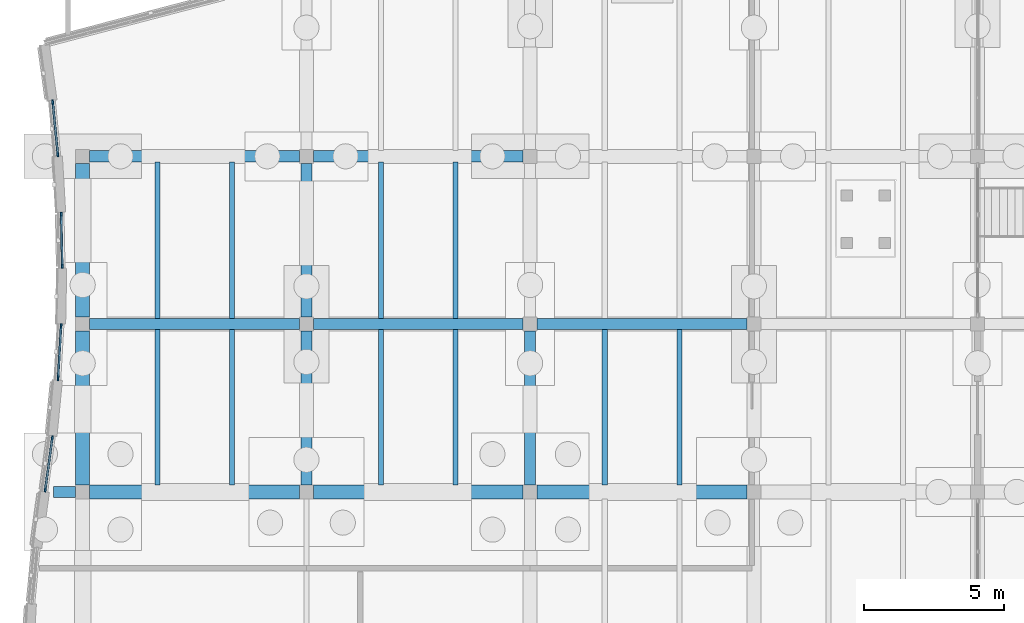
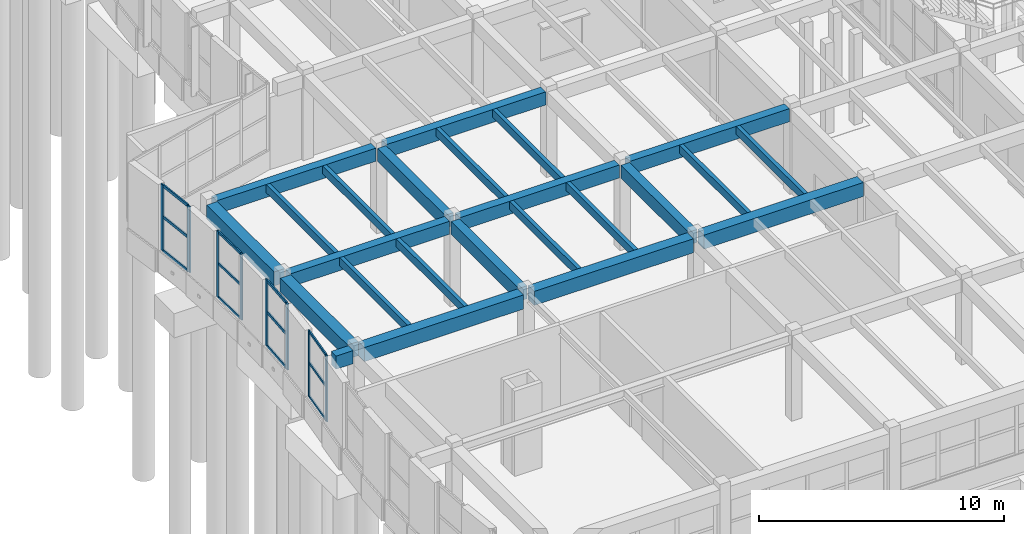
# One storey, part 15 of 99: 24 beams, 20 members, 4 elements without a shape of their own.
"""IFC4 building model written with IfcOpenShell, lengths in metres."""

from ifc_helpers import new_model, si_unit, direction, frame, origin, origin_2d, place, context, subcontext, project, spatial, rectangle, extrude, material, layer, layer_set, material_profile, profile_set, type_object, element, aggregate, save


model = new_model("IFC4")

# Units and contexts
model_context = context("Model", 3, precision=1e-05, world=origin(), true_north=direction((0.0, 1.0)))
body_context = subcontext(model_context, "Body", "Model", "MODEL_VIEW")
ifc_project = project(units=[si_unit("LENGTHUNIT", "METRE"), si_unit("AREAUNIT", "SQUARE_METRE"), si_unit("VOLUMEUNIT", "CUBIC_METRE"), si_unit("PLANEANGLEUNIT", "RADIAN"), si_unit("MASSUNIT", "GRAM", prefix="KILO")], contexts=[model_context])

# Site, building, storey
site_placement = place(None, origin())
site = spatial("IfcSite", under=ifc_project, at=site_placement, CompositionType="ELEMENT")
building_placement = place(site_placement, origin())
building = spatial("IfcBuilding", under=site, at=building_placement, Name="Tonlespit Floodbar School", CompositionType="ELEMENT")
storey_placement = place(building_placement, origin())
storey = spatial("IfcBuildingStorey", under=building, at=storey_placement, Name="L00", CompositionType="ELEMENT", Elevation=0.0)

# Beams
ifc_material_1 = material(Name="Concrete C40/50", Category="concrete")
ifc_material_profile_1 = material_profile(ifc_material_1, rectangle(XDim=0.39990234375, YDim=0.64990234375, at=origin_2d()), Name="RC 400x650")
ifc_profile_set_1 = profile_set([ifc_material_profile_1], Name="Concrete C40/50")
beam_type_1 = type_object("IfcBeamType", Name="Beam_RC_400x650", PredefinedType="BEAM", material=ifc_profile_set_1)
for number, where, z_axis, x_axis, name in (
    (1, (4.25, 26.0, 3.9150390625), (1.0, 0.0, 0.0), (0.0, 1.0, 0.0), "L00 girder 0022"),
    (2, (12.25, 26.0, 3.9150390625), (1.0, 0.0, 0.0), (0.0, 1.0, 0.0), "L00 girder 0023"),
    (3, (20.25, 26.0, 3.9150390625), (1.0, 0.0, 0.0), (0.0, 1.0, 0.0), "L00 girder 0024"),
    (4, (4.25, 32.0, 3.9150390625), (1.0, 0.0, 0.0), (0.0, 1.0, 0.0), "L00 girder 0027"),
    (5, (12.25, 32.0, 3.9150390625), (1.0, 0.0, 0.0), (0.0, 1.0, 0.0), "L00 girder 0028"),
):
    element("IfcBeam", number, at=place(storey_placement, frame(where, z_axis=z_axis, x_axis=x_axis)), inside=storey, type_object=beam_type_1, Name=name, PredefinedType="BEAM", context=body_context, shape_type="SweptSolid", body=[
        extrude(rectangle(XDim=0.39990234375, YDim=0.64990234375, at=origin_2d()), origin(), (0.0, 0.0, 1.0), 7.5),
    ])
for number, where, z_axis, x_axis, name in (
    (6, (12.0, 20.25, 3.9150390625), (0.0, 1.0, 0.0), (-1.0, 0.0, 0.0), "L00 girder 0173"),
    (7, (12.0, 26.25, 3.9150390625), (0.0, 1.0, 0.0), (-1.0, 0.0, 0.0), "L00 girder 0174"),
    (8, (20.0, 20.25, 3.9150390625), (0.0, 1.0, 0.0), (-1.0, 0.0, 0.0), "L00 girder 0186"),
):
    element("IfcBeam", number, at=place(storey_placement, frame(where, z_axis=z_axis, x_axis=x_axis)), inside=storey, type_object=beam_type_1, Name=name, PredefinedType="BEAM", context=body_context, shape_type="SweptSolid", body=[
        extrude(rectangle(XDim=0.39990234375, YDim=0.64990234375, at=origin_2d()), origin(), (0.0, 0.0, 1.0), 5.5),
    ])
beam_placement = place(storey_placement, frame((3.75, 20.0, 3.9150390625), z_axis=(-1.0, 0.0, 0.0), x_axis=(0.0, -1.0, 0.0)))
element("IfcBeam", 9, at=beam_placement, inside=storey, type_object=beam_type_1, Name="L00 west street wave cantilever bracket", PredefinedType="BEAM", context=body_context, shape_type="SweptSolid", body=[
    extrude(rectangle(XDim=0.39990234375, YDim=0.64990234375, at=origin_2d()), origin(), (0.0, 0.0, 1.0), 0.800048828125),
])

# Curtain wall, members
ifc_material_2 = material(Name="Anodised Aluminium", Category="aluminium")
ifc_layer_1 = layer(ifc_material_2, 0.159912109375)
ifc_layer_set_1 = layer_set([ifc_layer_1], Name="Anodised Aluminium")
curtain_wall_type_1 = type_object("IfcCurtainWallType", Name="CurtainWall_1950x3300", PredefinedType="NOTDEFINED", material=ifc_layer_set_1)
curtain_wall_1_placement = place(storey_placement, origin())
curtain_wall_1 = element("IfcCurtainWall", 10, at=curtain_wall_1_placement, inside=storey, type_object=curtain_wall_type_1, Name="L00 unitised curtain wall 0500", PredefinedType="NOTDEFINED")
ifc_material_profile_2 = material_profile(ifc_material_2, rectangle(XDim=0.06494140625, YDim=0.14990234375, at=origin_2d()), Name="ALU M65x150")
ifc_profile_set_2 = profile_set([ifc_material_profile_2], Name="Anodised Aluminium")
member_type_1 = type_object("IfcMemberType", Name="CW_Mullion_65x150", PredefinedType="MULLION", material=ifc_profile_set_2)
member_1_placement = place(storey_placement, frame((2.65966796875, 20.07177734375, 0.949951171875), z_axis=(0.0, 0.0, 1.0), x_axis=(-0.990894096494, 0.134643564765, 0.0)))
member_1 = element("IfcMember", 11, at=member_1_placement, type_object=member_type_1, Name="CW-01 mullion 1", PredefinedType="MULLION", context=body_context, shape_type="SweptSolid", body=[
    extrude(rectangle(XDim=0.06494140625, YDim=0.14990234375, at=origin_2d()), origin(), (0.0, 0.0, 1.0), 3.2900390625),
])
member_2_placement = place(storey_placement, frame((2.912109375, 21.92822265625, 0.949951171875), z_axis=(0.0, 0.0, 1.0), x_axis=(-0.990894096494, 0.134643564765, 0.0)))
member_2 = element("IfcMember", 12, at=member_2_placement, type_object=member_type_1, Name="CW-01 mullion 2", PredefinedType="MULLION", context=body_context, shape_type="SweptSolid", body=[
    extrude(rectangle(XDim=0.06494140625, YDim=0.14990234375, at=origin_2d()), origin(), (0.0, 0.0, 1.0), 3.2900390625),
])

ifc_layer_2 = layer(ifc_material_2, 0.159912109375)
ifc_layer_set_2 = layer_set([ifc_layer_2], Name="Anodised Aluminium")
curtain_wall_type_2 = type_object("IfcCurtainWallType", Name="CurtainWall_1900x3300", PredefinedType="NOTDEFINED", material=ifc_layer_set_2)
curtain_wall_2_placement = place(storey_placement, origin())
curtain_wall_2 = element("IfcCurtainWall", 13, at=curtain_wall_2_placement, inside=storey, type_object=curtain_wall_type_2, Name="L00 unitised curtain wall 0502", PredefinedType="NOTDEFINED")
member_3_placement = place(storey_placement, frame((3.267578125, 28.072509765625, 0.949951171875), z_axis=(0.0, 0.0, 1.0), x_axis=(-0.999815370969, -0.019215201653, 0.0)))
member_3 = element("IfcMember", 14, at=member_3_placement, type_object=member_type_1, Name="CW-02 mullion 1", PredefinedType="MULLION", context=body_context, shape_type="SweptSolid", body=[
    extrude(rectangle(XDim=0.06494140625, YDim=0.14990234375, at=origin_2d()), origin(), (0.0, 0.0, 1.0), 3.2900390625),
])
member_4_placement = place(storey_placement, frame((3.23193359375, 29.927490234375, 0.949951171875), z_axis=(0.0, 0.0, 1.0), x_axis=(-0.999815370969, -0.019215201653, 0.0)))
member_4 = element("IfcMember", 15, at=member_4_placement, type_object=member_type_1, Name="CW-02 mullion 2", PredefinedType="MULLION", context=body_context, shape_type="SweptSolid", body=[
    extrude(rectangle(XDim=0.06494140625, YDim=0.14990234375, at=origin_2d()), origin(), (0.0, 0.0, 1.0), 3.2900390625),
])

curtain_wall_3_placement = place(storey_placement, origin())
curtain_wall_3 = element("IfcCurtainWall", 16, at=curtain_wall_3_placement, inside=storey, type_object=curtain_wall_type_2, Name="L00 unitised curtain wall 0501", PredefinedType="NOTDEFINED")
ifc_material_profile_3 = material_profile(ifc_material_2, rectangle(XDim=0.06494140625, YDim=0.179931640625, at=origin_2d()), Name="ALU M65x180")
ifc_profile_set_3 = profile_set([ifc_material_profile_3], Name="Anodised Aluminium")
member_type_2 = type_object("IfcMemberType", Name="CW_Mullion_65x180", PredefinedType="MULLION", material=ifc_profile_set_3)
member_5_placement = place(storey_placement, frame((3.119140625, 24.072265625, 0.949951171875), z_axis=(0.0, 0.0, 1.0), x_axis=(-0.998333381227, 0.057710137129, 0.0)))
member_5 = element("IfcMember", 17, at=member_5_placement, type_object=member_type_2, Name="CW-02 mullion 1", PredefinedType="MULLION", context=body_context, shape_type="SweptSolid", body=[
    extrude(rectangle(XDim=0.06494140625, YDim=0.179931640625, at=origin_2d()), origin(), (0.0, 0.0, 1.0), 3.2900390625),
])
member_6_placement = place(storey_placement, frame((3.226318359375, 25.927734375, 0.949951171875), z_axis=(0.0, 0.0, 1.0), x_axis=(-0.998333381227, 0.057710137129, 0.0)))
member_6 = element("IfcMember", 18, at=member_6_placement, type_object=member_type_2, Name="CW-02 mullion 2", PredefinedType="MULLION", context=body_context, shape_type="SweptSolid", body=[
    extrude(rectangle(XDim=0.06494140625, YDim=0.179931640625, at=origin_2d()), origin(), (0.0, 0.0, 1.0), 3.2900390625),
])

curtain_wall_4_placement = place(storey_placement, origin())
curtain_wall_4 = element("IfcCurtainWall", 19, at=curtain_wall_4_placement, inside=storey, type_object=curtain_wall_type_1, Name="L00 unitised curtain wall 0503", PredefinedType="NOTDEFINED")
member_7_placement = place(storey_placement, frame((3.108154296875, 32.072265625, 0.949951171875), z_axis=(0.0, 0.0, 1.0), x_axis=(-0.995362188546, -0.096198303585, 0.0)))
member_7 = element("IfcMember", 20, at=member_7_placement, type_object=member_type_2, Name="CW-01 mullion 1", PredefinedType="MULLION", context=body_context, shape_type="SweptSolid", body=[
    extrude(rectangle(XDim=0.06494140625, YDim=0.179931640625, at=origin_2d()), origin(), (0.0, 0.0, 1.0), 3.2900390625),
])
member_8_placement = place(storey_placement, frame((2.9287109375, 33.927734375, 0.949951171875), z_axis=(0.0, 0.0, 1.0), x_axis=(-0.995362188546, -0.096198303585, 0.0)))
member_8 = element("IfcMember", 21, at=member_8_placement, type_object=member_type_2, Name="CW-01 mullion 2", PredefinedType="MULLION", context=body_context, shape_type="SweptSolid", body=[
    extrude(rectangle(XDim=0.06494140625, YDim=0.179931640625, at=origin_2d()), origin(), (0.0, 0.0, 1.0), 3.2900390625),
])

# Member
ifc_material_profile_4 = material_profile(ifc_material_2, rectangle(XDim=0.06494140625, YDim=0.1201171875, at=origin_2d()), Name="ALU T65x120")
ifc_profile_set_4 = profile_set([ifc_material_profile_4], Name="Anodised Aluminium")
member_type_3 = type_object("IfcMemberType", Name="CW_Transom_65x120", PredefinedType="USERDEFINED", material=ifc_profile_set_4)
member_9_placement = place(storey_placement, frame((2.6640625, 20.10400390625, 0.982421875), z_axis=(0.134727643439, 0.990882668177, 0.0), x_axis=(-0.990882668177, 0.134727643439, 0.0)))
member_9 = element("IfcMember", 22, at=member_9_placement, type_object=member_type_3, Name="CW-01 transom 1.1", ObjectType="TRANSOM", PredefinedType="USERDEFINED", context=body_context, shape_type="SweptSolid", body=[
    extrude(rectangle(XDim=0.06494140625, YDim=0.1201171875, at=origin_2d()), origin(), (0.0, 0.0, 1.0), 1.80859375),
])

member_10_placement = place(storey_placement, frame((2.6640625, 20.10400390625, 2.660888671875), z_axis=(0.134727643439, 0.990882668177, 0.0), x_axis=(-0.990882668177, 0.134727643439, 0.0)))
member_10 = element("IfcMember", 23, at=member_10_placement, type_object=member_type_3, Name="CW-01 transom 1.2", ObjectType="TRANSOM", PredefinedType="USERDEFINED", context=body_context, shape_type="SweptSolid", body=[
    extrude(rectangle(XDim=0.06494140625, YDim=0.1201171875, at=origin_2d()), origin(), (0.0, 0.0, 1.0), 1.80859375),
])

member_11_placement = place(storey_placement, frame((2.6640625, 20.10400390625, 4.20751953125), z_axis=(0.134727643439, 0.990882668177, 0.0), x_axis=(-0.990882668177, 0.134727643439, 0.0)))
member_11 = element("IfcMember", 24, at=member_11_placement, type_object=member_type_3, Name="CW-01 transom 1.3", ObjectType="TRANSOM", PredefinedType="USERDEFINED", context=body_context, shape_type="SweptSolid", body=[
    extrude(rectangle(XDim=0.06494140625, YDim=0.1201171875, at=origin_2d()), origin(), (0.0, 0.0, 1.0), 1.80859375),
])

aggregate(curtain_wall_1, [member_1, member_2, member_9, member_10, member_11])

member_12_placement = place(storey_placement, frame((3.26708984375, 28.10498046875, 0.982421875), z_axis=(-0.019227214231, 0.99981514003, 0.0), x_axis=(-0.99981514003, -0.019227214231, 0.0)))
member_12 = element("IfcMember", 25, at=member_12_placement, type_object=member_type_3, Name="CW-02 transom 1.1", ObjectType="TRANSOM", PredefinedType="USERDEFINED", context=body_context, shape_type="SweptSolid", body=[
    extrude(rectangle(XDim=0.06494140625, YDim=0.1201171875, at=origin_2d()), origin(), (0.0, 0.0, 1.0), 1.790283203125),
])

member_13_placement = place(storey_placement, frame((3.26708984375, 28.10498046875, 2.660888671875), z_axis=(-0.019227214231, 0.99981514003, 0.0), x_axis=(-0.99981514003, -0.019227214231, 0.0)))
member_13 = element("IfcMember", 26, at=member_13_placement, type_object=member_type_3, Name="CW-02 transom 1.2", ObjectType="TRANSOM", PredefinedType="USERDEFINED", context=body_context, shape_type="SweptSolid", body=[
    extrude(rectangle(XDim=0.06494140625, YDim=0.1201171875, at=origin_2d()), origin(), (0.0, 0.0, 1.0), 1.790283203125),
])

member_14_placement = place(storey_placement, frame((3.26708984375, 28.10498046875, 4.20751953125), z_axis=(-0.019227214231, 0.99981514003, 0.0), x_axis=(-0.99981514003, -0.019227214231, 0.0)))
member_14 = element("IfcMember", 27, at=member_14_placement, type_object=member_type_3, Name="CW-02 transom 1.3", ObjectType="TRANSOM", PredefinedType="USERDEFINED", context=body_context, shape_type="SweptSolid", body=[
    extrude(rectangle(XDim=0.06494140625, YDim=0.1201171875, at=origin_2d()), origin(), (0.0, 0.0, 1.0), 1.790283203125),
])

aggregate(curtain_wall_2, [member_3, member_4, member_12, member_13, member_14])

ifc_material_profile_5 = material_profile(ifc_material_2, rectangle(XDim=0.06494140625, YDim=0.139892578125, at=origin_2d()), Name="ALU T65x140")
ifc_profile_set_5 = profile_set([ifc_material_profile_5], Name="Anodised Aluminium")
member_type_4 = type_object("IfcMemberType", Name="CW_Transom_65x140", PredefinedType="USERDEFINED", material=ifc_profile_set_5)
member_15_placement = place(storey_placement, frame((3.12109375, 24.104736328125, 0.982421875), z_axis=(0.057716552548, 0.998333010354, 0.0), x_axis=(-0.998333010354, 0.057716552548, 0.0)))
member_15 = element("IfcMember", 28, at=member_15_placement, type_object=member_type_4, Name="CW-02 transom 1.1", ObjectType="TRANSOM", PredefinedType="USERDEFINED", context=body_context, shape_type="SweptSolid", body=[
    extrude(rectangle(XDim=0.06494140625, YDim=0.139892578125, at=origin_2d()), origin(), (0.0, 0.0, 1.0), 1.79345703125),
])

member_16_placement = place(storey_placement, frame((3.12109375, 24.104736328125, 2.660888671875), z_axis=(0.057716552548, 0.998333010354, 0.0), x_axis=(-0.998333010354, 0.057716552548, 0.0)))
member_16 = element("IfcMember", 29, at=member_16_placement, type_object=member_type_4, Name="CW-02 transom 1.2", ObjectType="TRANSOM", PredefinedType="USERDEFINED", context=body_context, shape_type="SweptSolid", body=[
    extrude(rectangle(XDim=0.06494140625, YDim=0.139892578125, at=origin_2d()), origin(), (0.0, 0.0, 1.0), 1.79345703125),
])

member_17_placement = place(storey_placement, frame((3.12109375, 24.104736328125, 4.20751953125), z_axis=(0.057716552548, 0.998333010354, 0.0), x_axis=(-0.998333010354, 0.057716552548, 0.0)))
member_17 = element("IfcMember", 30, at=member_17_placement, type_object=member_type_4, Name="CW-02 transom 1.3", ObjectType="TRANSOM", PredefinedType="USERDEFINED", context=body_context, shape_type="SweptSolid", body=[
    extrude(rectangle(XDim=0.06494140625, YDim=0.139892578125, at=origin_2d()), origin(), (0.0, 0.0, 1.0), 1.79345703125),
])

aggregate(curtain_wall_3, [member_5, member_6, member_15, member_16, member_17])

member_18_placement = place(storey_placement, frame((3.10498046875, 32.1044921875, 0.982421875), z_axis=(-0.096198443578, 0.995362175016, 0.0), x_axis=(-0.995362175016, -0.096198443578, 0.0)))
member_18 = element("IfcMember", 31, at=member_18_placement, type_object=member_type_4, Name="CW-01 transom 1.1", ObjectType="TRANSOM", PredefinedType="USERDEFINED", context=body_context, shape_type="SweptSolid", body=[
    extrude(rectangle(XDim=0.06494140625, YDim=0.139892578125, at=origin_2d()), origin(), (0.0, 0.0, 1.0), 1.79931640625),
])

member_19_placement = place(storey_placement, frame((3.10498046875, 32.1044921875, 2.660888671875), z_axis=(-0.096198443578, 0.995362175016, 0.0), x_axis=(-0.995362175016, -0.096198443578, 0.0)))
member_19 = element("IfcMember", 32, at=member_19_placement, type_object=member_type_4, Name="CW-01 transom 1.2", ObjectType="TRANSOM", PredefinedType="USERDEFINED", context=body_context, shape_type="SweptSolid", body=[
    extrude(rectangle(XDim=0.06494140625, YDim=0.139892578125, at=origin_2d()), origin(), (0.0, 0.0, 1.0), 1.79931640625),
])

member_20_placement = place(storey_placement, frame((3.10498046875, 32.1044921875, 4.20751953125), z_axis=(-0.096198443578, 0.995362175016, 0.0), x_axis=(-0.995362175016, -0.096198443578, 0.0)))
member_20 = element("IfcMember", 33, at=member_20_placement, type_object=member_type_4, Name="CW-01 transom 1.3", ObjectType="TRANSOM", PredefinedType="USERDEFINED", context=body_context, shape_type="SweptSolid", body=[
    extrude(rectangle(XDim=0.06494140625, YDim=0.139892578125, at=origin_2d()), origin(), (0.0, 0.0, 1.0), 1.79931640625),
])

aggregate(curtain_wall_4, [member_7, member_8, member_18, member_19, member_20])

# Beams
ifc_material_3 = material(Name="Glulam GL28h", Category="wood")
ifc_material_profile_6 = material_profile(ifc_material_3, rectangle(XDim=0.179931640625, YDim=0.39990234375, at=origin_2d()), Name="GL 180x400")
ifc_profile_set_6 = profile_set([ifc_material_profile_6], Name="Glulam GL28h")
beam_type_2 = type_object("IfcBeamType", Name="Joist_GL_180x400", PredefinedType="JOIST", material=ifc_profile_set_6)
for number, where, z_axis, x_axis, name in (
    (34, (6.666748046875, 20.25, 4.0400390625), (0.0, 1.0, 0.0), (-1.0, 0.0, 0.0), "L00 secondary joist 0347"),
    (35, (9.333251953125, 20.25, 4.0400390625), (0.0, 1.0, 0.0), (-1.0, 0.0, 0.0), "L00 secondary joist 0348"),
    (36, (14.666748046875, 20.25, 4.0400390625), (0.0, 1.0, 0.0), (-1.0, 0.0, 0.0), "L00 secondary joist 0349"),
    (37, (17.333251953125, 20.25, 4.0400390625), (0.0, 1.0, 0.0), (-1.0, 0.0, 0.0), "L00 secondary joist 0350"),
    (38, (22.666748046875, 20.25, 4.0400390625), (0.0, 1.0, 0.0), (-1.0, 0.0, 0.0), "L00 secondary joist 0351"),
    (39, (25.333251953125, 20.25, 4.0400390625), (0.0, 1.0, 0.0), (-1.0, 0.0, 0.0), "L00 secondary joist 0352"),
):
    element("IfcBeam", number, at=place(storey_placement, frame(where, z_axis=z_axis, x_axis=x_axis)), inside=storey, type_object=beam_type_2, Name=name, PredefinedType="JOIST", context=body_context, shape_type="SweptSolid", body=[
        extrude(rectangle(XDim=0.179931640625, YDim=0.39990234375, at=origin_2d()), origin(), (0.0, 0.0, 1.0), 5.550048828125),
    ])
for number, where, z_axis, x_axis, name in (
    (40, (6.666748046875, 26.199951171875, 4.0400390625), (0.0, 1.0, 0.0), (-1.0, 0.0, 0.0), "L00 secondary joist 0357"),
    (41, (9.333251953125, 26.199951171875, 4.0400390625), (0.0, 1.0, 0.0), (-1.0, 0.0, 0.0), "L00 secondary joist 0358"),
    (42, (14.666748046875, 26.199951171875, 4.0400390625), (0.0, 1.0, 0.0), (-1.0, 0.0, 0.0), "L00 secondary joist 0359"),
    (43, (17.333251953125, 26.199951171875, 4.0400390625), (0.0, 1.0, 0.0), (-1.0, 0.0, 0.0), "L00 secondary joist 0360"),
):
    element("IfcBeam", number, at=place(storey_placement, frame(where, z_axis=z_axis, x_axis=x_axis)), inside=storey, type_object=beam_type_2, Name=name, PredefinedType="JOIST", context=body_context, shape_type="SweptSolid", body=[
        extrude(rectangle(XDim=0.179931640625, YDim=0.39990234375, at=origin_2d()), origin(), (0.0, 0.0, 1.0), 5.60009765625),
    ])
ifc_material_profile_7 = material_profile(ifc_material_1, rectangle(XDim=0.5, YDim=0.699951171875, at=origin_2d()), Name="RC 500x700")
ifc_profile_set_7 = profile_set([ifc_material_profile_7], Name="Concrete C40/50")
beam_type_3 = type_object("IfcBeamType", Name="Spandrel_RC_500x700", PredefinedType="SPANDREL", material=ifc_profile_set_7)
for number, where, z_axis, x_axis, name in (
    (44, (4.25, 20.0, 3.889892578125), (1.0, 0.0, 0.0), (0.0, 1.0, 0.0), "L00 girder 0010"),
    (45, (12.25, 20.0, 3.889892578125), (1.0, 0.0, 0.0), (0.0, 1.0, 0.0), "L00 girder 0011"),
    (46, (20.25, 20.0, 3.889892578125), (1.0, 0.0, 0.0), (0.0, 1.0, 0.0), "L00 girder 0012"),
):
    element("IfcBeam", number, at=place(storey_placement, frame(where, z_axis=z_axis, x_axis=x_axis)), inside=storey, type_object=beam_type_3, Name=name, PredefinedType="SPANDREL", context=body_context, shape_type="SweptSolid", body=[
        extrude(rectangle(XDim=0.5, YDim=0.699951171875, at=origin_2d()), origin(), (0.0, 0.0, 1.0), 7.5),
    ])
for number, where, z_axis, x_axis, name in (
    (47, (4.0, 20.25, 3.889892578125), (0.0, 1.0, 0.0), (-1.0, 0.0, 0.0), "L00 girder 0170"),
    (48, (4.0, 26.25, 3.889892578125), (0.0, 1.0, 0.0), (-1.0, 0.0, 0.0), "L00 girder 0171"),
):
    element("IfcBeam", number, at=place(storey_placement, frame(where, z_axis=z_axis, x_axis=x_axis)), inside=storey, type_object=beam_type_3, Name=name, PredefinedType="SPANDREL", context=body_context, shape_type="SweptSolid", body=[
        extrude(rectangle(XDim=0.5, YDim=0.699951171875, at=origin_2d()), origin(), (0.0, 0.0, 1.0), 5.5),
    ])

save(model, "model.ifc")
